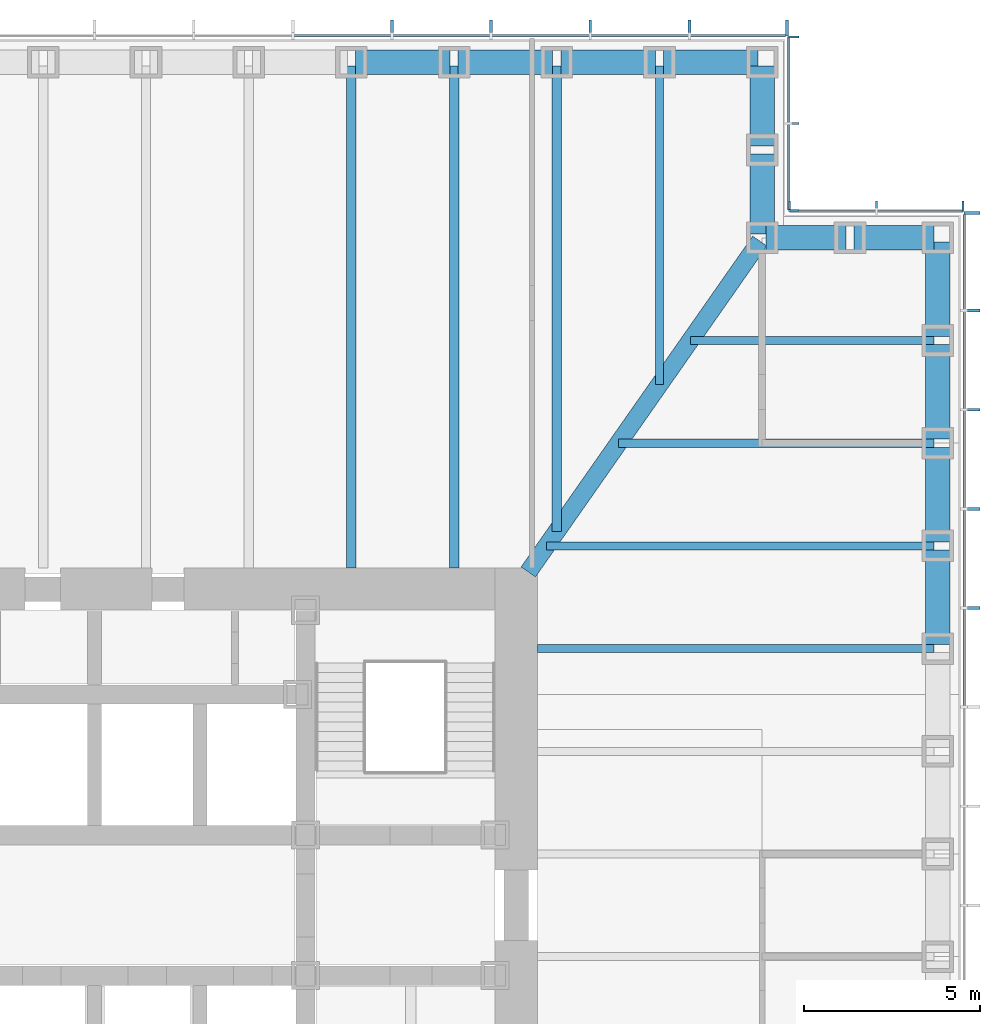
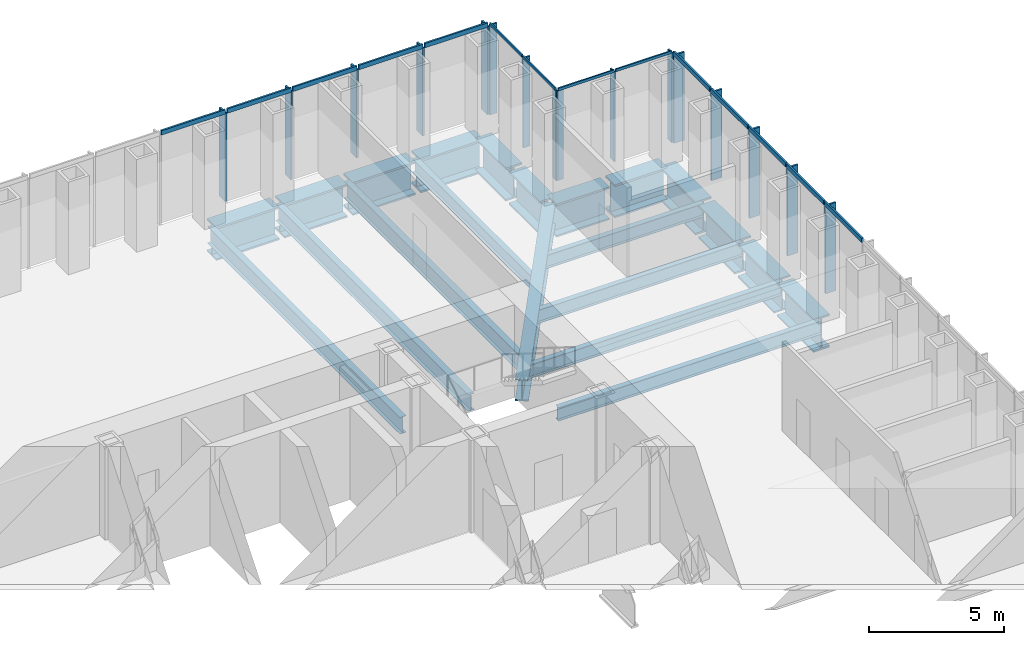
# One storey, part 6 of 16: 30 members, 21 beams, 4 elements without a shape of their own.
"""IFC4 building model written with IfcOpenShell, lengths in metres."""

from ifc_helpers import new_model, si_unit, direction, frame, origin, origin_2d, place, context, subcontext, project, spatial, rectangle, i_section, extrude, material, material_profile, profile_set, type_object, element, aggregate, save


model = new_model("IFC4")

# Units and contexts
model_context = context("Model", 3, precision=1e-05, world=origin(), true_north=direction((0.0, 1.0)))
body_context = subcontext(model_context, "Body", "Model", "MODEL_VIEW")
ifc_project = project(units=[si_unit("LENGTHUNIT", "METRE"), si_unit("AREAUNIT", "SQUARE_METRE"), si_unit("VOLUMEUNIT", "CUBIC_METRE"), si_unit("PLANEANGLEUNIT", "RADIAN"), si_unit("MASSUNIT", "GRAM", prefix="KILO")], contexts=[model_context])

# Site, building, storey
site_placement = place(None, origin())
site = spatial("IfcSite", under=ifc_project, at=site_placement, CompositionType="ELEMENT")
building_placement = place(site_placement, origin())
building = spatial("IfcBuilding", under=site, at=building_placement, Name="Daluyong Arena Tower", CompositionType="ELEMENT")
storey_placement = place(building_placement, frame((0.0, 0.0, 76.89990234375)))
storey = spatial("IfcBuildingStorey", under=building, at=storey_placement, Name="L16", CompositionType="ELEMENT", Elevation=76.89990234375)

# Curtain wall, members
ifc_material_1 = material(Name="Bronze anodised aluminium and glass", Category="aluminium")
curtain_wall_type_1 = type_object("IfcCurtainWallType", Name="Curtain wall CW1", PredefinedType="USERDEFINED", material=ifc_material_1)
curtain_wall_1_placement = place(storey_placement, origin())
curtain_wall_1 = element("IfcCurtainWall", 1, at=curtain_wall_1_placement, inside=storey, type_object=curtain_wall_type_1, Name="curtain wall L16 E", ObjectType="UNITISED CURTAIN WALL", PredefinedType="USERDEFINED")
ifc_material_2 = material(Name="Bronze anodised aluminium fin", Category="aluminium")
ifc_material_profile_1 = material_profile(ifc_material_2, rectangle(XDim=0.449951171875, YDim=0.080078125, at=origin_2d()))
ifc_profile_set_1 = profile_set([ifc_material_profile_1], Name="Bronze anodised aluminium fin")
member_type_1 = type_object("IfcMemberType", Name="CW1 bronze fin 450x80", PredefinedType="MULLION", material=ifc_profile_set_1)
member_1_placement = place(storey_placement, frame((80.97509765625, 88.46435546875, 0.0), z_axis=(0.0, 0.0, 1.0), x_axis=(-1.0, 0.0, 0.0)))
member_1 = element("IfcMember", 2, at=member_1_placement, type_object=member_type_1, Name="curtain wall L16 E fin 11", PredefinedType="MULLION", context=body_context, shape_type="SweptSolid", body=[
    extrude(rectangle(XDim=0.449951171875, YDim=0.080078125, at=origin_2d()), origin(), (0.0, 0.0, 1.0), 4.0),
])
member_2_placement = place(storey_placement, frame((80.97509765625, 91.28564453125, 0.0), z_axis=(0.0, 0.0, 1.0), x_axis=(-1.0, 0.0, 0.0)))
member_2 = element("IfcMember", 3, at=member_2_placement, type_object=member_type_1, Name="curtain wall L16 E fin 12", PredefinedType="MULLION", context=body_context, shape_type="SweptSolid", body=[
    extrude(rectangle(XDim=0.449951171875, YDim=0.080078125, at=origin_2d()), origin(), (0.0, 0.0, 1.0), 4.0),
])
member_3_placement = place(storey_placement, frame((80.97509765625, 94.107177734375, 0.0), z_axis=(0.0, 0.0, 1.0), x_axis=(-1.0, 0.0, 0.0)))
member_3 = element("IfcMember", 4, at=member_3_placement, type_object=member_type_1, Name="curtain wall L16 E fin 13", PredefinedType="MULLION", context=body_context, shape_type="SweptSolid", body=[
    extrude(rectangle(XDim=0.449951171875, YDim=0.080078125, at=origin_2d()), origin(), (0.0, 0.0, 1.0), 4.0),
])
member_4_placement = place(storey_placement, frame((80.97509765625, 96.928466796875, 0.0), z_axis=(0.0, 0.0, 1.0), x_axis=(-1.0, 0.0, 0.0)))
member_4 = element("IfcMember", 5, at=member_4_placement, type_object=member_type_1, Name="curtain wall L16 E fin 14", PredefinedType="MULLION", context=body_context, shape_type="SweptSolid", body=[
    extrude(rectangle(XDim=0.449951171875, YDim=0.080078125, at=origin_2d()), origin(), (0.0, 0.0, 1.0), 4.0),
])
member_5_placement = place(storey_placement, frame((80.97509765625, 99.7099609375, 0.0), z_axis=(0.0, 0.0, 1.0), x_axis=(-1.0, 0.0, 0.0)))
member_5 = element("IfcMember", 6, at=member_5_placement, type_object=member_type_1, Name="curtain wall L16 E fin 15", PredefinedType="MULLION", context=body_context, shape_type="SweptSolid", body=[
    extrude(rectangle(XDim=0.449951171875, YDim=0.080078125, at=origin_2d()), origin(), (0.0, 0.0, 1.0), 4.0),
])

curtain_wall_2_placement = place(storey_placement, origin())
curtain_wall_2 = element("IfcCurtainWall", 7, at=curtain_wall_2_placement, inside=storey, type_object=curtain_wall_type_1, Name="curtain wall L16 N", ObjectType="UNITISED CURTAIN WALL", PredefinedType="USERDEFINED")
member_6_placement = place(storey_placement, frame((75.7099609375, 104.97509765625, 0.0), z_axis=(0.0, 0.0, 1.0), x_axis=(0.0, -1.0, 0.0)))
member_6 = element("IfcMember", 8, at=member_6_placement, type_object=member_type_1, Name="curtain wall L16 N fin 1", PredefinedType="MULLION", context=body_context, shape_type="SweptSolid", body=[
    extrude(rectangle(XDim=0.449951171875, YDim=0.080078125, at=origin_2d()), origin(), (0.0, 0.0, 1.0), 4.0),
])
member_7_placement = place(storey_placement, frame((72.928466796875, 104.97509765625, 0.0), z_axis=(0.0, 0.0, 1.0), x_axis=(0.0, -1.0, 0.0)))
member_7 = element("IfcMember", 9, at=member_7_placement, type_object=member_type_1, Name="curtain wall L16 N fin 2", PredefinedType="MULLION", context=body_context, shape_type="SweptSolid", body=[
    extrude(rectangle(XDim=0.449951171875, YDim=0.080078125, at=origin_2d()), origin(), (0.0, 0.0, 1.0), 4.0),
])
member_8_placement = place(storey_placement, frame((70.107177734375, 104.97509765625, 0.0), z_axis=(0.0, 0.0, 1.0), x_axis=(0.0, -1.0, 0.0)))
member_8 = element("IfcMember", 10, at=member_8_placement, type_object=member_type_1, Name="curtain wall L16 N fin 3", PredefinedType="MULLION", context=body_context, shape_type="SweptSolid", body=[
    extrude(rectangle(XDim=0.449951171875, YDim=0.080078125, at=origin_2d()), origin(), (0.0, 0.0, 1.0), 4.0),
])
member_9_placement = place(storey_placement, frame((67.28564453125, 104.97509765625, 0.0), z_axis=(0.0, 0.0, 1.0), x_axis=(0.0, -1.0, 0.0)))
member_9 = element("IfcMember", 11, at=member_9_placement, type_object=member_type_1, Name="curtain wall L16 N fin 4", PredefinedType="MULLION", context=body_context, shape_type="SweptSolid", body=[
    extrude(rectangle(XDim=0.449951171875, YDim=0.080078125, at=origin_2d()), origin(), (0.0, 0.0, 1.0), 4.0),
])
member_10_placement = place(storey_placement, frame((64.46435546875, 104.97509765625, 0.0), z_axis=(0.0, 0.0, 1.0), x_axis=(0.0, -1.0, 0.0)))
member_10 = element("IfcMember", 12, at=member_10_placement, type_object=member_type_1, Name="curtain wall L16 N fin 5", PredefinedType="MULLION", context=body_context, shape_type="SweptSolid", body=[
    extrude(rectangle(XDim=0.449951171875, YDim=0.080078125, at=origin_2d()), origin(), (0.0, 0.0, 1.0), 4.0),
])

# Member
ifc_material_3 = material(Name="Bronze anodised aluminium", Category="aluminium")
ifc_material_profile_2 = material_profile(ifc_material_3, rectangle(XDim=0.080078125, YDim=0.199951171875, at=origin_2d()))
ifc_profile_set_2 = profile_set([ifc_material_profile_2], Name="Bronze anodised aluminium")
member_type_2 = type_object("IfcMemberType", Name="CW1 stack transom 200x80", PredefinedType="USERDEFINED", material=ifc_profile_set_2)
member_11_placement = place(storey_placement, frame((80.75, 85.682861328125, 4.10009765625), z_axis=(0.0, 1.0, 0.0), x_axis=(-1.0, 0.0, 0.0)))
member_11 = element("IfcMember", 13, at=member_11_placement, type_object=member_type_2, Name="curtain wall L16 E transom 10", ObjectType="TRANSOM", PredefinedType="USERDEFINED", context=body_context, shape_type="SweptSolid", body=[
    extrude(rectangle(XDim=0.080078125, YDim=0.199951171875, at=origin_2d()), origin(), (0.0, 0.0, 1.0), 2.741455078125),
])

member_12_placement = place(storey_placement, frame((80.75, 88.50439453125, 4.10009765625), z_axis=(0.0, 1.0, 0.0), x_axis=(-1.0, 0.0, 0.0)))
member_12 = element("IfcMember", 14, at=member_12_placement, type_object=member_type_2, Name="curtain wall L16 E transom 11", ObjectType="TRANSOM", PredefinedType="USERDEFINED", context=body_context, shape_type="SweptSolid", body=[
    extrude(rectangle(XDim=0.080078125, YDim=0.199951171875, at=origin_2d()), origin(), (0.0, 0.0, 1.0), 2.7412109375),
])

member_13_placement = place(storey_placement, frame((80.75, 91.32568359375, 4.10009765625), z_axis=(0.0, 1.0, 0.0), x_axis=(-1.0, 0.0, 0.0)))
member_13 = element("IfcMember", 15, at=member_13_placement, type_object=member_type_2, Name="curtain wall L16 E transom 12", ObjectType="TRANSOM", PredefinedType="USERDEFINED", context=body_context, shape_type="SweptSolid", body=[
    extrude(rectangle(XDim=0.080078125, YDim=0.199951171875, at=origin_2d()), origin(), (0.0, 0.0, 1.0), 2.741455078125),
])

member_14_placement = place(storey_placement, frame((80.75, 94.147216796875, 4.10009765625), z_axis=(0.0, 1.0, 0.0), x_axis=(-1.0, 0.0, 0.0)))
member_14 = element("IfcMember", 16, at=member_14_placement, type_object=member_type_2, Name="curtain wall L16 E transom 13", ObjectType="TRANSOM", PredefinedType="USERDEFINED", context=body_context, shape_type="SweptSolid", body=[
    extrude(rectangle(XDim=0.080078125, YDim=0.199951171875, at=origin_2d()), origin(), (0.0, 0.0, 1.0), 2.741455078125),
])

member_15_placement = place(storey_placement, frame((80.75, 96.968505859375, 4.10009765625), z_axis=(0.0, 1.0, 0.0), x_axis=(-1.0, 0.0, 0.0)))
member_15 = element("IfcMember", 17, at=member_15_placement, type_object=member_type_2, Name="curtain wall L16 E transom 14", ObjectType="TRANSOM", PredefinedType="USERDEFINED", context=body_context, shape_type="SweptSolid", body=[
    extrude(rectangle(XDim=0.080078125, YDim=0.199951171875, at=origin_2d()), origin(), (0.0, 0.0, 1.0), 2.701416015625),
])

aggregate(curtain_wall_1, [member_1, member_2, member_3, member_4, member_5, member_11, member_12, member_13, member_14, member_15])

member_16_placement = place(storey_placement, frame((75.669921875, 104.75, 4.10009765625), z_axis=(-1.0, 0.0, 0.0), x_axis=(0.0, -1.0, 0.0)))
member_16 = element("IfcMember", 18, at=member_16_placement, type_object=member_type_2, Name="curtain wall L16 N transom 1", ObjectType="TRANSOM", PredefinedType="USERDEFINED", context=body_context, shape_type="SweptSolid", body=[
    extrude(rectangle(XDim=0.080078125, YDim=0.199951171875, at=origin_2d()), origin(), (0.0, 0.0, 1.0), 2.701416015625),
])

member_17_placement = place(storey_placement, frame((72.888671875, 104.75, 4.10009765625), z_axis=(-1.0, 0.0, 0.0), x_axis=(0.0, -1.0, 0.0)))
member_17 = element("IfcMember", 19, at=member_17_placement, type_object=member_type_2, Name="curtain wall L16 N transom 2", ObjectType="TRANSOM", PredefinedType="USERDEFINED", context=body_context, shape_type="SweptSolid", body=[
    extrude(rectangle(XDim=0.080078125, YDim=0.199951171875, at=origin_2d()), origin(), (0.0, 0.0, 1.0), 2.741455078125),
])

member_18_placement = place(storey_placement, frame((70.067138671875, 104.75, 4.10009765625), z_axis=(-1.0, 0.0, 0.0), x_axis=(0.0, -1.0, 0.0)))
member_18 = element("IfcMember", 20, at=member_18_placement, type_object=member_type_2, Name="curtain wall L16 N transom 3", ObjectType="TRANSOM", PredefinedType="USERDEFINED", context=body_context, shape_type="SweptSolid", body=[
    extrude(rectangle(XDim=0.080078125, YDim=0.199951171875, at=origin_2d()), origin(), (0.0, 0.0, 1.0), 2.741455078125),
])

member_19_placement = place(storey_placement, frame((67.24560546875, 104.75, 4.10009765625), z_axis=(-1.0, 0.0, 0.0), x_axis=(0.0, -1.0, 0.0)))
member_19 = element("IfcMember", 21, at=member_19_placement, type_object=member_type_2, Name="curtain wall L16 N transom 4", ObjectType="TRANSOM", PredefinedType="USERDEFINED", context=body_context, shape_type="SweptSolid", body=[
    extrude(rectangle(XDim=0.080078125, YDim=0.199951171875, at=origin_2d()), origin(), (0.0, 0.0, 1.0), 2.7412109375),
])

member_20_placement = place(storey_placement, frame((64.42431640625, 104.75, 4.10009765625), z_axis=(-1.0, 0.0, 0.0), x_axis=(0.0, -1.0, 0.0)))
member_20 = element("IfcMember", 22, at=member_20_placement, type_object=member_type_2, Name="curtain wall L16 N transom 5", ObjectType="TRANSOM", PredefinedType="USERDEFINED", context=body_context, shape_type="SweptSolid", body=[
    extrude(rectangle(XDim=0.080078125, YDim=0.199951171875, at=origin_2d()), origin(), (0.0, 0.0, 1.0), 2.741455078125),
])

aggregate(curtain_wall_2, [member_6, member_7, member_8, member_9, member_10, member_16, member_17, member_18, member_19, member_20])

# Curtain wall, members
ifc_material_4 = material(Name="Bronze anodised aluminium and glass", Category="aluminium")
curtain_wall_type_2 = type_object("IfcCurtainWallType", Name="Curtain wall CW7", PredefinedType="USERDEFINED", material=ifc_material_4)
curtain_wall_3_placement = place(storey_placement, origin())
curtain_wall_3 = element("IfcCurtainWall", 23, at=curtain_wall_3_placement, inside=storey, type_object=curtain_wall_type_2, Name="curtain wall L16 NE-N", ObjectType="UNITISED CURTAIN WALL", PredefinedType="USERDEFINED")
ifc_material_5 = material(Name="Bronze anodised aluminium fin", Category="aluminium")
ifc_material_profile_3 = material_profile(ifc_material_5, rectangle(XDim=0.300048828125, YDim=0.06005859375, at=origin_2d()))
ifc_profile_set_3 = profile_set([ifc_material_profile_3], Name="Bronze anodised aluminium fin")
member_type_3 = type_object("IfcMemberType", Name="CW7 bronze fin 300x60", PredefinedType="MULLION", material=ifc_profile_set_3)
member_21_placement = place(storey_placement, frame((80.719970703125, 99.89990234375, 0.0), z_axis=(0.0, 0.0, 1.0), x_axis=(0.0, -1.0, 0.0)))
member_21 = element("IfcMember", 24, at=member_21_placement, type_object=member_type_3, Name="curtain wall L16 NE-N fin 1", PredefinedType="MULLION", context=body_context, shape_type="SweptSolid", body=[
    extrude(rectangle(XDim=0.300048828125, YDim=0.06005859375, at=origin_2d()), origin(), (0.0, 0.0, 1.0), 4.080078125),
])
member_22_placement = place(storey_placement, frame((78.25, 99.89990234375, 0.0), z_axis=(0.0, 0.0, 1.0), x_axis=(0.0, -1.0, 0.0)))
member_22 = element("IfcMember", 25, at=member_22_placement, type_object=member_type_3, Name="curtain wall L16 NE-N fin 2", PredefinedType="MULLION", context=body_context, shape_type="SweptSolid", body=[
    extrude(rectangle(XDim=0.300048828125, YDim=0.06005859375, at=origin_2d()), origin(), (0.0, 0.0, 1.0), 4.080078125),
])
member_23_placement = place(storey_placement, frame((75.780029296875, 99.89990234375, 0.0), z_axis=(0.0, 0.0, 1.0), x_axis=(0.0, -1.0, 0.0)))
member_23 = element("IfcMember", 26, at=member_23_placement, type_object=member_type_3, Name="curtain wall L16 NE-N fin 3", PredefinedType="MULLION", context=body_context, shape_type="SweptSolid", body=[
    extrude(rectangle(XDim=0.300048828125, YDim=0.06005859375, at=origin_2d()), origin(), (0.0, 0.0, 1.0), 4.080078125),
])

curtain_wall_4_placement = place(storey_placement, origin())
curtain_wall_4 = element("IfcCurtainWall", 27, at=curtain_wall_4_placement, inside=storey, type_object=curtain_wall_type_2, Name="curtain wall L16 NE-E", ObjectType="UNITISED CURTAIN WALL", PredefinedType="USERDEFINED")
member_24_placement = place(storey_placement, frame((75.89990234375, 99.780029296875, 0.0), z_axis=(0.0, 0.0, 1.0), x_axis=(-1.0, 0.0, 0.0)))
member_24 = element("IfcMember", 28, at=member_24_placement, type_object=member_type_3, Name="curtain wall L16 NE-E fin 1", PredefinedType="MULLION", context=body_context, shape_type="SweptSolid", body=[
    extrude(rectangle(XDim=0.300048828125, YDim=0.06005859375, at=origin_2d()), origin(), (0.0, 0.0, 1.0), 4.080078125),
])
member_25_placement = place(storey_placement, frame((75.89990234375, 102.25, 0.0), z_axis=(0.0, 0.0, 1.0), x_axis=(-1.0, 0.0, 0.0)))
member_25 = element("IfcMember", 29, at=member_25_placement, type_object=member_type_3, Name="curtain wall L16 NE-E fin 2", PredefinedType="MULLION", context=body_context, shape_type="SweptSolid", body=[
    extrude(rectangle(XDim=0.300048828125, YDim=0.06005859375, at=origin_2d()), origin(), (0.0, 0.0, 1.0), 4.080078125),
])
member_26_placement = place(storey_placement, frame((75.89990234375, 104.719970703125, 0.0), z_axis=(0.0, 0.0, 1.0), x_axis=(-1.0, 0.0, 0.0)))
member_26 = element("IfcMember", 30, at=member_26_placement, type_object=member_type_3, Name="curtain wall L16 NE-E fin 3", PredefinedType="MULLION", context=body_context, shape_type="SweptSolid", body=[
    extrude(rectangle(XDim=0.300048828125, YDim=0.06005859375, at=origin_2d()), origin(), (0.0, 0.0, 1.0), 4.080078125),
])

# Member
ifc_material_6 = material(Name="Bronze anodised aluminium", Category="aluminium")
ifc_material_profile_4 = material_profile(ifc_material_6, rectangle(XDim=0.06005859375, YDim=0.1201171875, at=origin_2d()))
ifc_profile_set_4 = profile_set([ifc_material_profile_4], Name="Bronze anodised aluminium")
member_type_4 = type_object("IfcMemberType", Name="CW7 stack transom 120x60", PredefinedType="USERDEFINED", material=ifc_profile_set_4)
member_27_placement = place(storey_placement, frame((80.68994140625, 99.75, 4.14013671875), z_axis=(-1.0, 0.0, 0.0), x_axis=(0.0, -1.0, 0.0)))
member_27 = element("IfcMember", 31, at=member_27_placement, type_object=member_type_4, Name="curtain wall L16 NE-N transom 1", ObjectType="TRANSOM", PredefinedType="USERDEFINED", context=body_context, shape_type="SweptSolid", body=[
    extrude(rectangle(XDim=0.06005859375, YDim=0.1201171875, at=origin_2d()), origin(), (0.0, 0.0, 1.0), 2.409912109375),
])

member_28_placement = place(storey_placement, frame((78.219970703125, 99.75, 4.14013671875), z_axis=(-1.0, 0.0, 0.0), x_axis=(0.0, -1.0, 0.0)))
member_28 = element("IfcMember", 32, at=member_28_placement, type_object=member_type_4, Name="curtain wall L16 NE-N transom 2", ObjectType="TRANSOM", PredefinedType="USERDEFINED", context=body_context, shape_type="SweptSolid", body=[
    extrude(rectangle(XDim=0.06005859375, YDim=0.1201171875, at=origin_2d()), origin(), (0.0, 0.0, 1.0), 2.409912109375),
])

aggregate(curtain_wall_3, [member_21, member_22, member_23, member_27, member_28])

member_29_placement = place(storey_placement, frame((75.75, 99.81005859375, 4.14013671875), z_axis=(0.0, 1.0, 0.0), x_axis=(-1.0, 0.0, 0.0)))
member_29 = element("IfcMember", 33, at=member_29_placement, type_object=member_type_4, Name="curtain wall L16 NE-E transom 1", ObjectType="TRANSOM", PredefinedType="USERDEFINED", context=body_context, shape_type="SweptSolid", body=[
    extrude(rectangle(XDim=0.06005859375, YDim=0.1201171875, at=origin_2d()), origin(), (0.0, 0.0, 1.0), 2.409912109375),
])

member_30_placement = place(storey_placement, frame((75.75, 102.280029296875, 4.14013671875), z_axis=(0.0, 1.0, 0.0), x_axis=(-1.0, 0.0, 0.0)))
member_30 = element("IfcMember", 34, at=member_30_placement, type_object=member_type_4, Name="curtain wall L16 NE-E transom 2", ObjectType="TRANSOM", PredefinedType="USERDEFINED", context=body_context, shape_type="SweptSolid", body=[
    extrude(rectangle(XDim=0.06005859375, YDim=0.1201171875, at=origin_2d()), origin(), (0.0, 0.0, 1.0), 2.409912109375),
])

aggregate(curtain_wall_4, [member_24, member_25, member_26, member_29, member_30])

# Beams
ifc_material_7 = material(Name="Steel ASTM A572 Grade 50", Category="steel")
ifc_material_profile_5 = material_profile(ifc_material_7, i_section(OverallWidth=0.5, OverallDepth=1.0, WebThickness=0.03, FlangeThickness=0.06, at=origin_2d()))
ifc_profile_set_5 = profile_set([ifc_material_profile_5], Name="Steel ASTM A572 Grade 50")
beam_type_1 = type_object("IfcBeamType", Name="Corner girder TB1000X500", PredefinedType="BEAM", material=ifc_profile_set_5)
beam_1_placement = place(storey_placement, frame((74.93408203125, 98.90576171875, -0.659912109375), z_axis=(-0.573466621875, -0.819228926244, 0.0), x_axis=(0.819228926244, -0.573466621875, 0.0)))
element("IfcBeam", 35, at=beam_1_placement, inside=storey, type_object=beam_type_1, Name="corner girder DG2", PredefinedType="BEAM", context=body_context, shape_type="SweptSolid", body=[
    extrude(i_section(OverallWidth=0.5, OverallDepth=1.0, WebThickness=0.03, FlangeThickness=0.06, at=origin_2d()), origin(), (0.0, 0.0, 1.0), 11.49169921875),
])
ifc_material_8 = material(Name="Steel ASTM A992 Grade 50", Category="steel")
ifc_material_profile_6 = material_profile(ifc_material_8, i_section(OverallWidth=0.22900390625, OverallDepth=0.612060546875, WebThickness=0.011962890625, FlangeThickness=0.01953125, at=origin_2d()))
ifc_profile_set_6 = profile_set([ifc_material_profile_6], Name="Steel ASTM A992 Grade 50")
beam_type_2 = type_object("IfcBeamType", Name="Floor beam W24X84", PredefinedType="BEAM", material=ifc_profile_set_6)
beam_2_placement = place(storey_placement, frame((79.885009765625, 87.3076171875, -0.466064453125), z_axis=(-1.0, 0.0, 0.0), x_axis=(0.0, -1.0, 0.0)))
element("IfcBeam", 36, at=beam_2_placement, inside=storey, type_object=beam_type_2, Name="floor beam FB3", PredefinedType="BEAM", context=body_context, shape_type="SweptSolid", body=[
    extrude(i_section(OverallWidth=0.22900390625, OverallDepth=0.612060546875, WebThickness=0.011962890625, FlangeThickness=0.01953125, at=origin_2d()), origin(), (0.0, 0.0, 1.0), 11.284912109375),
])
beam_3_placement = place(storey_placement, frame((79.885009765625, 90.230712890625, -0.466064453125), z_axis=(-1.0, 0.0, 0.0), x_axis=(0.0, -1.0, 0.0)))
element("IfcBeam", 37, at=beam_3_placement, inside=storey, type_object=beam_type_2, Name="floor beam FB3", PredefinedType="BEAM", context=body_context, shape_type="SweptSolid", body=[
    extrude(i_section(OverallWidth=0.22900390625, OverallDepth=0.612060546875, WebThickness=0.011962890625, FlangeThickness=0.01953125, at=origin_2d()), origin(), (0.0, 0.0, 1.0), 11.0234375),
])
beam_4_placement = place(storey_placement, frame((79.885009765625, 93.15380859375, -0.466064453125), z_axis=(-1.0, 0.0, 0.0), x_axis=(0.0, -1.0, 0.0)))
element("IfcBeam", 38, at=beam_4_placement, inside=storey, type_object=beam_type_2, Name="floor beam FB3", PredefinedType="BEAM", context=body_context, shape_type="SweptSolid", body=[
    extrude(i_section(OverallWidth=0.22900390625, OverallDepth=0.612060546875, WebThickness=0.011962890625, FlangeThickness=0.01953125, at=origin_2d()), origin(), (0.0, 0.0, 1.0), 8.977294921875),
])
beam_5_placement = place(storey_placement, frame((79.885009765625, 96.076904296875, -0.466064453125), z_axis=(-1.0, 0.0, 0.0), x_axis=(0.0, -1.0, 0.0)))
element("IfcBeam", 39, at=beam_5_placement, inside=storey, type_object=beam_type_2, Name="floor beam FB3", PredefinedType="BEAM", context=body_context, shape_type="SweptSolid", body=[
    extrude(i_section(OverallWidth=0.22900390625, OverallDepth=0.612060546875, WebThickness=0.011962890625, FlangeThickness=0.01953125, at=origin_2d()), origin(), (0.0, 0.0, 1.0), 6.93115234375),
])
beam_6_placement = place(storey_placement, frame((72.076904296875, 103.885009765625, -0.466064453125), z_axis=(0.0, -1.0, 0.0), x_axis=(1.0, 0.0, 0.0)))
element("IfcBeam", 40, at=beam_6_placement, inside=storey, type_object=beam_type_2, Name="floor beam FB3", PredefinedType="BEAM", context=body_context, shape_type="SweptSolid", body=[
    extrude(i_section(OverallWidth=0.22900390625, OverallDepth=0.612060546875, WebThickness=0.011962890625, FlangeThickness=0.01953125, at=origin_2d()), origin(), (0.0, 0.0, 1.0), 9.060791015625),
])
ifc_material_9 = material(Name="Steel ASTM A992 Grade 50", Category="steel")
ifc_material_profile_7 = material_profile(ifc_material_9, i_section(OverallWidth=0.2666015625, OverallDepth=0.761962890625, WebThickness=0.014404296875, FlangeThickness=0.021484375, at=origin_2d()))
ifc_profile_set_7 = profile_set([ifc_material_profile_7], Name="Steel ASTM A992 Grade 50")
beam_type_3 = type_object("IfcBeamType", Name="Floor beam W30X116", PredefinedType="BEAM", material=ifc_profile_set_7)
beam_7_placement = place(storey_placement, frame((69.15380859375, 103.885009765625, -0.541015625), z_axis=(0.0, -1.0, 0.0), x_axis=(1.0, 0.0, 0.0)))
element("IfcBeam", 41, at=beam_7_placement, inside=storey, type_object=beam_type_3, Name="floor beam FB4", PredefinedType="BEAM", context=body_context, shape_type="SweptSolid", body=[
    extrude(i_section(OverallWidth=0.2666015625, OverallDepth=0.761962890625, WebThickness=0.014404296875, FlangeThickness=0.021484375, at=origin_2d()), origin(), (0.0, 0.0, 1.0), 13.236572265625),
])
for number, where, z_axis, x_axis, name in (
    (42, (66.230712890625, 103.885009765625, -0.541015625), (0.0, -1.0, 0.0), (1.0, 0.0, 0.0), "floor beam FB4"),
    (43, (63.3076171875, 103.885009765625, -0.541015625), (0.0, -1.0, 0.0), (1.0, 0.0, 0.0), "floor beam FB4"),
):
    element("IfcBeam", number, at=place(storey_placement, frame(where, z_axis=z_axis, x_axis=x_axis)), inside=storey, type_object=beam_type_3, Name=name, PredefinedType="BEAM", context=body_context, shape_type="SweptSolid", body=[
        extrude(i_section(OverallWidth=0.2666015625, OverallDepth=0.761962890625, WebThickness=0.014404296875, FlangeThickness=0.021484375, at=origin_2d()), origin(), (0.0, 0.0, 1.0), 14.284912109375),
    ])
ifc_material_10 = material(Name="Steel ASTM A572 Grade 50", Category="steel")
ifc_material_profile_8 = material_profile(ifc_material_10, i_section(OverallWidth=0.699951171875, OverallDepth=1.5, WebThickness=0.04, FlangeThickness=0.08, at=origin_2d()))
ifc_profile_set_8 = profile_set([ifc_material_profile_8], Name="Steel ASTM A572 Grade 50")
beam_type_4 = type_object("IfcBeamType", Name="Spandrel Z1 PG1500X700", PredefinedType="SPANDREL", material=ifc_profile_set_8)
for number, where, z_axis, x_axis, name in (
    (44, (80.0, 87.422607421875, -0.909912109375), (0.0, 1.0, 0.0), (-1.0, 0.0, 0.0), "spandrel z1 SB4"),
    (45, (80.0, 90.345703125, -0.909912109375), (0.0, 1.0, 0.0), (-1.0, 0.0, 0.0), "spandrel z1 SB4"),
    (46, (80.0, 93.268798828125, -0.909912109375), (0.0, 1.0, 0.0), (-1.0, 0.0, 0.0), "spandrel z1 SB4"),
    (47, (80.0, 96.19189453125, -0.909912109375), (0.0, 1.0, 0.0), (-1.0, 0.0, 0.0), "spandrel z1 SB4"),
):
    element("IfcBeam", number, at=place(storey_placement, frame(where, z_axis=z_axis, x_axis=x_axis)), inside=storey, type_object=beam_type_4, Name=name, PredefinedType="SPANDREL", context=body_context, shape_type="SweptSolid", body=[
        extrude(i_section(OverallWidth=0.699951171875, OverallDepth=1.5, WebThickness=0.04, FlangeThickness=0.08, at=origin_2d()), origin(), (0.0, 0.0, 1.0), 2.693115234375),
    ])
for number, where, z_axis, x_axis, name in (
    (48, (79.885009765625, 99.0, -0.909912109375), (-1.0, 0.0, 0.0), (0.0, -1.0, 0.0), "spandrel z1 SB4"),
    (49, (77.385009765625, 99.0, -0.909912109375), (-1.0, 0.0, 0.0), (0.0, -1.0, 0.0), "spandrel z1 SB4"),
    (50, (75.0, 99.114990234375, -0.909912109375), (0.0, 1.0, 0.0), (-1.0, 0.0, 0.0), "spandrel z1 SB4"),
    (51, (75.0, 101.614990234375, -0.909912109375), (0.0, 1.0, 0.0), (-1.0, 0.0, 0.0), "spandrel z1 SB4"),
):
    element("IfcBeam", number, at=place(storey_placement, frame(where, z_axis=z_axis, x_axis=x_axis)), inside=storey, type_object=beam_type_4, Name=name, PredefinedType="SPANDREL", context=body_context, shape_type="SweptSolid", body=[
        extrude(i_section(OverallWidth=0.699951171875, OverallDepth=1.5, WebThickness=0.04, FlangeThickness=0.08, at=origin_2d()), origin(), (0.0, 0.0, 1.0), 2.27001953125),
    ])
for number, where, z_axis, x_axis, name in (
    (52, (74.885009765625, 104.0, -0.909912109375), (-1.0, 0.0, 0.0), (0.0, -1.0, 0.0), "spandrel z1 SB4"),
    (53, (71.9619140625, 104.0, -0.909912109375), (-1.0, 0.0, 0.0), (0.0, -1.0, 0.0), "spandrel z1 SB4"),
    (54, (69.038818359375, 104.0, -0.909912109375), (-1.0, 0.0, 0.0), (0.0, -1.0, 0.0), "spandrel z1 SB4"),
    (55, (66.11572265625, 104.0, -0.909912109375), (-1.0, 0.0, 0.0), (0.0, -1.0, 0.0), "spandrel z1 SB4"),
):
    element("IfcBeam", number, at=place(storey_placement, frame(where, z_axis=z_axis, x_axis=x_axis)), inside=storey, type_object=beam_type_4, Name=name, PredefinedType="SPANDREL", context=body_context, shape_type="SweptSolid", body=[
        extrude(i_section(OverallWidth=0.699951171875, OverallDepth=1.5, WebThickness=0.04, FlangeThickness=0.08, at=origin_2d()), origin(), (0.0, 0.0, 1.0), 2.693115234375),
    ])

save(model, "model.ifc")
